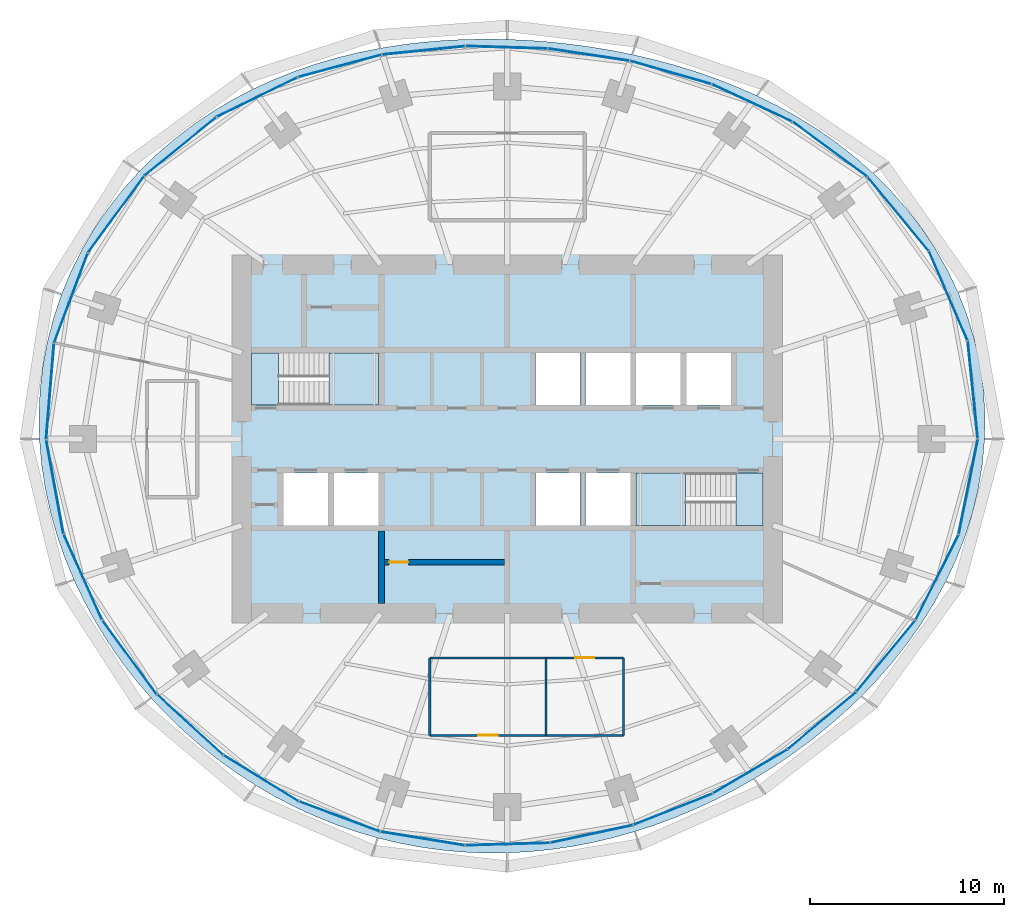
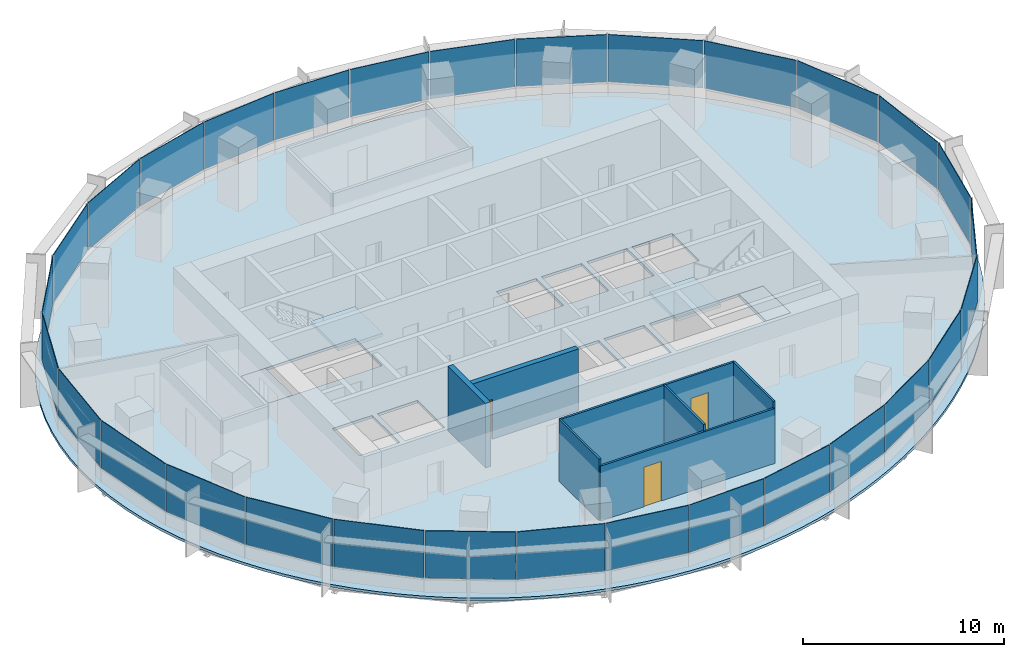
# One storey, part 9 of 14: 30 plates, 7 walls, 5 slabs, 3 doors, 3 openings, 8 elements without a shape of their own.
"""IFC4 building model written with IfcOpenShell, lengths in metres."""

from ifc_helpers import new_model, si_unit, direction, frame, frame_2d, origin, origin_2d, place, context, subcontext, project, spatial, polyline, rectangle, outline, extrude, material, layer, layer_set, type_object, element, fill, aggregate, save


model = new_model("IFC4")

# Units and contexts
model_context = context("Model", 3, precision=1e-05, world=origin(), true_north=direction((0.0, 1.0)))
body_context = subcontext(model_context, "Body", "Model", "MODEL_VIEW")
ifc_project = project(units=[si_unit("LENGTHUNIT", "METRE"), si_unit("AREAUNIT", "SQUARE_METRE"), si_unit("VOLUMEUNIT", "CUBIC_METRE"), si_unit("PLANEANGLEUNIT", "RADIAN"), si_unit("MASSUNIT", "GRAM", prefix="KILO")], contexts=[model_context])

# Site, building, storey
site_placement = place(None, origin())
site = spatial("IfcSite", under=ifc_project, at=site_placement, CompositionType="ELEMENT")
building_placement = place(site_placement, origin())
building = spatial("IfcBuilding", under=site, at=building_placement, Name="Marramba Exchange Tower", CompositionType="ELEMENT")
storey_placement = place(building_placement, frame((0.0, 0.0, 222.800048828125)))
storey = spatial("IfcBuildingStorey", under=building, at=storey_placement, Name="L54", CompositionType="ELEMENT", Elevation=222.800048828125)

# Slab
ifc_material_1 = material(Name="Concrete N40", Category="concrete")
ifc_layer_1 = layer(ifc_material_1, 0.159912109375)
ifc_layer_set_1 = layer_set([ifc_layer_1], Name="Composite floor slab 160")
slab_type_1 = type_object("IfcSlabType", Name="Composite floor slab 160", PredefinedType="FLOOR", material=ifc_layer_set_1)
slab_1_placement = place(storey_placement, frame((0.0, 0.0, -0.16015625)))
element("IfcSlab", 1, at=slab_1_placement, inside=storey, type_object=slab_type_1, Name="Floor slab L54", PredefinedType="FLOOR", context=body_context, shape_type="SweptSolid", body=[
    extrude(outline(polyline([(24.64404296875, 0.0), (24.661376953125, 1.29248046875), (24.580078125, 2.58349609375), (24.399658203125, 3.864501953125), (24.12109375, 5.127197265625), (23.7470703125, 6.363037109375), (23.281494140625, 7.564697265625), (22.72900390625, 8.724853515625), (22.095947265625, 9.837646484375), (21.388427734375, 10.89794921875), (20.614013671875, 11.901611328125), (19.780029296875, 12.845458984375), (18.894287109375, 13.7275390625), (17.964111328125, 14.547119140625), (16.996826171875, 15.303955078125), (15.9990234375, 15.9990234375), (14.977294921875, 16.634033203125), (13.936767578125, 17.21044921875), (12.882568359375, 17.7314453125), (11.819091796875, 18.19970703125), (10.749267578125, 18.6181640625), (9.67578125, 18.989990234375), (8.60107421875, 19.318115234375), (7.52587890625, 19.60546875), (6.451171875, 19.8544921875), (5.377197265625, 20.067626953125), (4.303466796875, 20.246337890625), (3.229736328125, 20.39208984375), (2.1552734375, 20.50537109375), (1.078857421875, 20.5869140625), (0.0, 20.63623046875), (-1.082275390625, 20.652587890625), (-2.168701171875, 20.634765625), (-3.259765625, 20.580810546875), (-4.35498046875, 20.4892578125), (-5.45458984375, 20.35693359375), (-6.557373046875, 20.181884765625), (-7.662353515625, 19.9609375), (-8.76708984375, 19.691162109375), (-9.869384765625, 19.369873046875), (-10.96630859375, 18.994384765625), (-12.05419921875, 18.561767578125), (-13.128662109375, 18.070068359375), (-14.185546875, 17.517578125), (-15.218994140625, 16.902587890625), (-16.22412109375, 16.22412109375), (-17.195068359375, 15.482421875), (-18.12548828125, 14.677734375), (-19.009521484375, 13.811279296875), (-19.841064453125, 12.885009765625), (-20.614013671875, 11.901611328125), (-21.32275390625, 10.864501953125), (-21.9619140625, 9.778076171875), (-22.52685546875, 8.647216796875), (-23.01318359375, 7.477294921875), (-23.417724609375, 6.274658203125), (-23.73779296875, 5.045654296875), (-23.971923828125, 3.796875), (-24.119384765625, 2.53515625), (-24.180419921875, 1.267333984375), (-24.156005859375, 0.0), (-24.04833984375, -1.26025390625), (-23.860107421875, -2.5078125), (-23.594482421875, -3.737060546875), (-23.25537109375, -4.943115234375), (-22.846923828125, -6.121826171875), (-22.373291015625, -7.26953125), (-21.8388671875, -8.38330078125), (-21.247802734375, -9.460205078125), (-20.604248046875, -10.49853515625), (-19.912109375, -11.496337890625), (-19.174560546875, -12.4521484375), (-18.395263671875, -13.364990234375), (-17.5771484375, -14.233642578125), (-16.72265625, -15.05712890625), (-15.834228515625, -15.834228515625), (-14.914794921875, -16.564453125), (-13.966064453125, -17.24658203125), (-12.990234375, -17.879638671875), (-11.98974609375, -18.46240234375), (-10.96630859375, -18.994384765625), (-9.922607421875, -19.47412109375), (-8.860595703125, -19.901123046875), (-7.78271484375, -20.2744140625), (-6.691162109375, -20.593505859375), (-5.5888671875, -20.858154296875), (-4.478271484375, -21.068115234375), (-3.361328125, -21.22314453125), (-2.2412109375, -21.32373046875), (-1.119873046875, -21.370361328125), (0.0, -21.36376953125), (1.116455078125, -21.3046875), (2.2275390625, -21.194580078125), (3.33154296875, -21.0341796875), (4.426513671875, -20.8251953125), (5.511474609375, -20.56884765625), (6.5849609375, -20.266357421875), (7.646240234375, -19.919189453125), (8.694580078125, -19.528076171875), (9.72900390625, -19.09423828125), (10.749267578125, -18.6181640625), (11.75439453125, -18.100341796875), (12.744140625, -17.541015625), (13.71728515625, -16.939697265625), (14.6728515625, -16.2958984375), (15.609130859375, -15.609130859375), (16.5244140625, -14.878662109375), (17.415771484375, -14.10302734375), (18.280029296875, -13.28125), (19.11376953125, -12.41259765625), (19.912109375, -11.496337890625), (20.669921875, -10.531982421875), (21.3818359375, -9.519775390625), (22.041259765625, -8.4609375), (22.641845703125, -7.356689453125), (23.176513671875, -6.210205078125), (23.638671875, -5.024658203125), (24.022216796875, -3.8046875), (24.32080078125, -2.55615234375), (24.529541015625, -1.28564453125), (24.64404296875, 0.0)]), holes=[polyline([(1.449951171875, 1.75), (3.75, 1.75), (3.75, 4.449951171875), (1.449951171875, 4.449951171875), (1.449951171875, 1.75)]), polyline([(4.050048828125, 1.75), (6.35009765625, 1.75), (6.35009765625, 4.449951171875), (4.050048828125, 4.449951171875), (4.050048828125, 1.75)]), polyline([(1.449951171875, -4.449951171875), (3.75, -4.449951171875), (3.75, -1.75), (1.449951171875, -1.75), (1.449951171875, -4.449951171875)]), polyline([(4.050048828125, -4.449951171875), (6.35009765625, -4.449951171875), (6.35009765625, -1.75), (4.050048828125, -1.75), (4.050048828125, -4.449951171875)]), polyline([(6.64990234375, 1.75), (8.949951171875, 1.75), (8.949951171875, 4.449951171875), (6.64990234375, 4.449951171875), (6.64990234375, 1.75)]), polyline([(-8.949951171875, -4.449951171875), (-6.64990234375, -4.449951171875), (-6.64990234375, -1.75), (-8.949951171875, -1.75), (-8.949951171875, -4.449951171875)]), polyline([(-11.550048828125, -4.449951171875), (-9.25, -4.449951171875), (-9.25, -1.75), (-11.550048828125, -1.75), (-11.550048828125, -4.449951171875)]), polyline([(9.25, 1.75), (11.550048828125, 1.75), (11.550048828125, 4.449951171875), (9.25, 4.449951171875), (9.25, 1.75)]), polyline([(-13.199951171875, 1.75), (-6.64990234375, 1.75), (-6.64990234375, 4.449951171875), (-13.199951171875, 4.449951171875), (-13.199951171875, 1.75)]), polyline([(6.64990234375, -4.449951171875), (13.199951171875, -4.449951171875), (13.199951171875, -1.75), (6.64990234375, -1.75), (6.64990234375, -4.449951171875)])]), origin(), (0.0, 0.0, 1.0), 0.16015625),
])

# Curtain wall, plates
ifc_material_2 = material(Name="Aluminium framing, bronze anodised", Category="aluminium")
curtain_wall_type = type_object("IfcCurtainWallType", Name="Office ribbon curtain wall", PredefinedType="USERDEFINED", material=ifc_material_2)
curtain_wall_1_placement = place(storey_placement, origin())
curtain_wall_1 = element("IfcCurtainWall", 2, at=curtain_wall_1_placement, inside=storey, type_object=curtain_wall_type, Name="Curtain wall CW4 L54 F01-F05", ObjectType="RIBBON CURTAIN WALL", PredefinedType="USERDEFINED")
ifc_material_3 = material(Name="Laminated double glazed unit 10.76 + 16 + 10.76, bronze tinted", Category="glass")
ifc_layer_2 = layer(ifc_material_3, 0.03759765625)
ifc_layer_set_2 = layer_set([ifc_layer_2], Name="Office ribbon curtain wall panel")
plate_type = type_object("IfcPlateType", Name="Office ribbon curtain wall panel", PredefinedType="CURTAIN_PANEL", material=ifc_layer_set_2)
plate_1_placement = place(storey_placement, frame((24.033203125, 2.556884765625, 0.860107421875), z_axis=(0.0, 0.0, 1.0), x_axis=(-0.101422472607, 0.994843446001, 0.0)))
plate_1 = element("IfcPlate", 3, at=plate_1_placement, type_object=plate_type, Name="CW4 vision panel", PredefinedType="CURTAIN_PANEL", context=body_context, shape_type="SweptSolid", body=[
    extrude(rectangle(XDim=5.0205078125, YDim=0.03759765625, at=origin_2d()), origin(), (0.0, 0.0, 1.0), 2.8798828125),
])
plate_2_placement = place(storey_placement, frame((22.765625, 7.40234375, 0.860107421875), z_axis=(0.0, 0.0, 1.0), x_axis=(-0.396193346946, 0.918167104527, 0.0)))
plate_2 = element("IfcPlate", 4, at=plate_2_placement, type_object=plate_type, Name="CW4 vision panel", PredefinedType="CURTAIN_PANEL", context=body_context, shape_type="SweptSolid", body=[
    extrude(rectangle(XDim=4.99462890625, YDim=0.03759765625, at=origin_2d()), origin(), (0.0, 0.0, 1.0), 2.8798828125),
])
plate_3_placement = place(storey_placement, frame((20.174560546875, 11.631591796875, 0.860107421875), z_axis=(0.0, 0.0, 1.0), x_axis=(-0.637350227411, 0.770574258342, 0.0)))
plate_3 = element("IfcPlate", 5, at=plate_3_placement, type_object=plate_type, Name="CW4 vision panel", PredefinedType="CURTAIN_PANEL", context=body_context, shape_type="SweptSolid", body=[
    extrude(rectangle(XDim=4.90576171875, YDim=0.03759765625, at=origin_2d()), origin(), (0.0, 0.0, 1.0), 2.8798828125),
])
plate_4_placement = place(storey_placement, frame((16.653076171875, 14.965576171875, 0.860107421875), z_axis=(0.0, 0.0, 1.0), x_axis=(-0.804877259395, 0.593441317494, 0.0)))
plate_4 = element("IfcPlate", 6, at=plate_4_placement, type_object=plate_type, Name="CW4 vision panel", PredefinedType="CURTAIN_PANEL", context=body_context, shape_type="SweptSolid", body=[
    extrude(rectangle(XDim=4.745849609375, YDim=0.03759765625, at=origin_2d()), origin(), (0.0, 0.0, 1.0), 2.8798828125),
])
plate_5_placement = place(storey_placement, frame((12.63134765625, 17.357177734375, 0.860107421875), z_axis=(0.0, 0.0, 1.0), x_axis=(-0.906533907301, 0.422133006189, 0.0)))
plate_5 = element("IfcPlate", 7, at=plate_5_placement, type_object=plate_type, Name="CW4 vision panel", PredefinedType="CURTAIN_PANEL", context=body_context, shape_type="SweptSolid", body=[
    extrude(rectangle(XDim=4.53857421875, YDim=0.03759765625, at=origin_2d()), origin(), (0.0, 0.0, 1.0), 2.8798828125),
])
aggregate(curtain_wall_1, [plate_1, plate_2, plate_3, plate_4, plate_5])

curtain_wall_2_placement = place(storey_placement, origin())
curtain_wall_2 = element("IfcCurtainWall", 8, at=curtain_wall_2_placement, inside=storey, type_object=curtain_wall_type, Name="Curtain wall CW4 L54 F06-F10", ObjectType="RIBBON CURTAIN WALL", PredefinedType="USERDEFINED")
plate_6_placement = place(storey_placement, frame((8.4296875, 18.926513671875, 0.860107421875), z_axis=(0.0, 0.0, 1.0), x_axis=(-0.961658954195, 0.274248164656, 0.0)))
plate_6 = element("IfcPlate", 9, at=plate_6_placement, type_object=plate_type, Name="CW4 vision panel", PredefinedType="CURTAIN_PANEL", context=body_context, shape_type="SweptSolid", body=[
    extrude(rectangle(XDim=4.33984375, YDim=0.03759765625, at=origin_2d()), origin(), (0.0, 0.0, 1.0), 2.8798828125),
])
plate_7_placement = place(storey_placement, frame((4.201171875, 19.843994140625, 0.860107421875), z_axis=(0.0, 0.0, 1.0), x_axis=(-0.988868065698, 0.148794988635, 0.0)))
plate_7 = element("IfcPlate", 10, at=plate_7_placement, type_object=plate_type, Name="CW4 vision panel", PredefinedType="CURTAIN_PANEL", context=body_context, shape_type="SweptSolid", body=[
    extrude(rectangle(XDim=4.2119140625, YDim=0.03759765625, at=origin_2d()), origin(), (0.0, 0.0, 1.0), 2.8798828125),
])
plate_8_placement = place(storey_placement, frame((-0.036865234375, 20.222900390625, 0.860107421875), z_axis=(0.0, 0.0, 1.0), x_axis=(-0.999538000143, 0.03039385249, 0.0)))
plate_8 = element("IfcPlate", 11, at=plate_8_placement, type_object=plate_type, Name="CW4 vision panel", PredefinedType="CURTAIN_PANEL", context=body_context, shape_type="SweptSolid", body=[
    extrude(rectangle(XDim=4.19287109375, YDim=0.03759765625, at=origin_2d()), origin(), (0.0, 0.0, 1.0), 2.8798828125),
])
plate_9_placement = place(storey_placement, frame((-4.320556640625, 20.064697265625, 0.860107421875), z_axis=(0.0, 0.0, 1.0), x_axis=(-0.994900357369, -0.100862673507, 0.0)))
plate_9 = element("IfcPlate", 12, at=plate_9_placement, type_object=plate_type, Name="CW4 vision panel", PredefinedType="CURTAIN_PANEL", context=body_context, shape_type="SweptSolid", body=[
    extrude(rectangle(XDim=4.279296875, YDim=0.03759765625, at=origin_2d()), origin(), (0.0, 0.0, 1.0), 2.8798828125),
])
plate_10_placement = place(storey_placement, frame((-8.6494140625, 19.262451171875, 0.860107421875), z_axis=(0.0, 0.0, 1.0), x_axis=(-0.966240653155, -0.257641223778, 0.0)))
plate_10 = element("IfcPlate", 13, at=plate_10_placement, type_object=plate_type, Name="CW4 vision panel", PredefinedType="CURTAIN_PANEL", context=body_context, shape_type="SweptSolid", body=[
    extrude(rectangle(XDim=4.433837890625, YDim=0.03759765625, at=origin_2d()), origin(), (0.0, 0.0, 1.0), 2.8798828125),
])
aggregate(curtain_wall_2, [plate_6, plate_7, plate_8, plate_9, plate_10])

curtain_wall_3_placement = place(storey_placement, origin())
curtain_wall_3 = element("IfcCurtainWall", 14, at=curtain_wall_3_placement, inside=storey, type_object=curtain_wall_type, Name="Curtain wall CW4 L54 F11-F15", ObjectType="RIBBON CURTAIN WALL", PredefinedType="USERDEFINED")
plate_11_placement = place(storey_placement, frame((-12.9150390625, 17.653564453125, 0.860107421875), z_axis=(0.0, 0.0, 1.0), x_axis=(-0.898500518805, -0.438972456661, 0.0)))
plate_11 = element("IfcPlate", 15, at=plate_11_placement, type_object=plate_type, Name="CW4 vision panel", PredefinedType="CURTAIN_PANEL", context=body_context, shape_type="SweptSolid", body=[
    extrude(rectangle(XDim=4.607177734375, YDim=0.03759765625, at=origin_2d()), origin(), (0.0, 0.0, 1.0), 2.8798828125),
])
plate_12_placement = place(storey_placement, frame((-16.87890625, 15.10498046875, 0.860107421875), z_axis=(0.0, 0.0, 1.0), x_axis=(-0.776432169145, -0.630200830464, 0.0)))
plate_12 = element("IfcPlate", 16, at=plate_12_placement, type_object=plate_type, Name="CW4 vision panel", PredefinedType="CURTAIN_PANEL", context=body_context, shape_type="SweptSolid", body=[
    extrude(rectangle(XDim=4.7587890625, YDim=0.03759765625, at=origin_2d()), origin(), (0.0, 0.0, 1.0), 2.8798828125),
])
plate_13_placement = place(storey_placement, frame((-20.2021484375, 11.596435546875, 0.860107421875), z_axis=(0.0, 0.0, 1.0), x_axis=(-0.591962922138, -0.805965197024, 0.0)))
plate_13 = element("IfcPlate", 17, at=plate_13_placement, type_object=plate_type, Name="CW4 vision panel", PredefinedType="CURTAIN_PANEL", context=body_context, shape_type="SweptSolid", body=[
    extrude(rectangle(XDim=4.865478515625, YDim=0.03759765625, at=origin_2d()), origin(), (0.0, 0.0, 1.0), 2.8798828125),
])
plate_14_placement = place(storey_placement, frame((-22.529296875, 7.276123046875, 0.860107421875), z_axis=(0.0, 0.0, 1.0), x_axis=(-0.351951515885, -0.936018231909, 0.0)))
plate_14 = element("IfcPlate", 18, at=plate_14_placement, type_object=plate_type, Name="CW4 vision panel", PredefinedType="CURTAIN_PANEL", context=body_context, shape_type="SweptSolid", body=[
    extrude(rectangle(XDim=4.921630859375, YDim=0.03759765625, at=origin_2d()), origin(), (0.0, 0.0, 1.0), 2.8798828125),
])
plate_15_placement = place(storey_placement, frame((-23.603271484375, 2.45654296875, 0.860107421875), z_axis=(0.0, 0.0, 1.0), x_axis=(-0.082280890264, -0.996609178714, 0.0)))
plate_15 = element("IfcPlate", 19, at=plate_15_placement, type_object=plate_type, Name="CW4 vision panel", PredefinedType="CURTAIN_PANEL", context=body_context, shape_type="SweptSolid", body=[
    extrude(rectangle(XDim=4.9296875, YDim=0.03759765625, at=origin_2d()), origin(), (0.0, 0.0, 1.0), 2.8798828125),
])
aggregate(curtain_wall_3, [plate_11, plate_12, plate_13, plate_14, plate_15])

curtain_wall_4_placement = place(storey_placement, origin())
curtain_wall_4 = element("IfcCurtainWall", 20, at=curtain_wall_4_placement, inside=storey, type_object=curtain_wall_type, Name="Curtain wall CW4 L54 F16-F20", ObjectType="RIBBON CURTAIN WALL", PredefinedType="USERDEFINED")
plate_16_placement = place(storey_placement, frame((-23.354248046875, -2.464599609375, 0.860107421875), z_axis=(0.0, 0.0, 1.0), x_axis=(0.180327438996, -0.983606636184, 0.0)))
plate_16 = element("IfcPlate", 21, at=plate_16_placement, type_object=plate_type, Name="CW4 vision panel", PredefinedType="CURTAIN_PANEL", context=body_context, shape_type="SweptSolid", body=[
    extrude(rectangle(XDim=4.8916015625, YDim=0.03759765625, at=origin_2d()), origin(), (0.0, 0.0, 1.0), 2.8798828125),
])
plate_17_placement = place(storey_placement, frame((-21.908447265625, -7.12158203125, 0.860107421875), z_axis=(0.0, 0.0, 1.0), x_axis=(0.407557580942, -0.913179510401, 0.0)))
plate_17 = element("IfcPlate", 22, at=plate_17_placement, type_object=plate_type, Name="CW4 vision panel", PredefinedType="CURTAIN_PANEL", context=body_context, shape_type="SweptSolid", body=[
    extrude(rectangle(XDim=4.810302734375, YDim=0.03759765625, at=origin_2d()), origin(), (0.0, 0.0, 1.0), 2.8798828125),
])
plate_18_placement = place(storey_placement, frame((-19.50244140625, -11.2626953125, 0.860107421875), z_axis=(0.0, 0.0, 1.0), x_axis=(0.591223103363, -0.806508054547, 0.0)))
plate_18 = element("IfcPlate", 23, at=plate_18_placement, type_object=plate_type, Name="CW4 vision panel", PredefinedType="CURTAIN_PANEL", context=body_context, shape_type="SweptSolid", body=[
    extrude(rectangle(XDim=4.703125, YDim=0.03759765625, at=origin_2d()), origin(), (0.0, 0.0, 1.0), 2.8798828125),
])
plate_19_placement = place(storey_placement, frame((-16.374267578125, -14.752197265625, 0.860107421875), z_axis=(0.0, 0.0, 1.0), x_axis=(0.737203264245, -0.67567103474, 0.0)))
plate_19 = element("IfcPlate", 24, at=plate_19_placement, type_object=plate_type, Name="CW4 vision panel", PredefinedType="CURTAIN_PANEL", context=body_context, shape_type="SweptSolid", body=[
    extrude(rectangle(XDim=4.594970703125, YDim=0.03759765625, at=origin_2d()), origin(), (0.0, 0.0, 1.0), 2.8798828125),
])
plate_20_placement = place(storey_placement, frame((-12.71044921875, -17.513427734375, 0.860107421875), z_axis=(0.0, 0.0, 1.0), x_axis=(0.85230101176, -0.52305160869, 0.0)))
plate_20 = element("IfcPlate", 25, at=plate_20_placement, type_object=plate_type, Name="CW4 vision panel", PredefinedType="CURTAIN_PANEL", context=body_context, shape_type="SweptSolid", body=[
    extrude(rectangle(XDim=4.503173828125, YDim=0.03759765625, at=origin_2d()), origin(), (0.0, 0.0, 1.0), 2.8798828125),
])
aggregate(curtain_wall_4, [plate_16, plate_17, plate_18, plate_19, plate_20])

curtain_wall_5_placement = place(storey_placement, origin())
curtain_wall_5 = element("IfcCurtainWall", 26, at=curtain_wall_5_placement, inside=storey, type_object=curtain_wall_type, Name="Curtain wall CW4 L54 F21-F25", ObjectType="RIBBON CURTAIN WALL", PredefinedType="USERDEFINED")
plate_21_placement = place(storey_placement, frame((-8.6591796875, -19.486572265625, 0.860107421875), z_axis=(0.0, 0.0, 1.0), x_axis=(0.936951583142, -0.349459197687, 0.0)))
plate_21 = element("IfcPlate", 27, at=plate_21_placement, type_object=plate_type, Name="CW4 vision panel", PredefinedType="CURTAIN_PANEL", context=body_context, shape_type="SweptSolid", body=[
    extrude(rectangle(XDim=4.431396484375, YDim=0.03759765625, at=origin_2d()), origin(), (0.0, 0.0, 1.0), 2.8798828125),
])
plate_22_placement = place(storey_placement, frame((-4.3642578125, -20.623046875, 0.860107421875), z_axis=(0.0, 0.0, 1.0), x_axis=(0.986930623159, -0.161145726194, 0.0)))
plate_22 = element("IfcPlate", 28, at=plate_22_placement, type_object=plate_type, Name="CW4 vision panel", PredefinedType="CURTAIN_PANEL", context=body_context, shape_type="SweptSolid", body=[
    extrude(rectangle(XDim=4.37646484375, YDim=0.03759765625, at=origin_2d()), origin(), (0.0, 0.0, 1.0), 2.8798828125),
])
plate_23_placement = place(storey_placement, frame((0.023193359375, -20.91015625, 0.860107421875), z_axis=(0.0, 0.0, 1.0), x_axis=(0.99956791915, 0.029393451762, 0.0)))
plate_23 = element("IfcPlate", 29, at=plate_23_placement, type_object=plate_type, Name="CW4 vision panel", PredefinedType="CURTAIN_PANEL", context=body_context, shape_type="SweptSolid", body=[
    extrude(rectangle(XDim=4.337646484375, YDim=0.03759765625, at=origin_2d()), origin(), (0.0, 0.0, 1.0), 2.8798828125),
])
plate_24_placement = place(storey_placement, frame((4.36328125, -20.3837890625, 0.860107421875), z_axis=(0.0, 0.0, 1.0), x_axis=(0.978058069607, 0.208332456608, 0.0)))
plate_24 = element("IfcPlate", 30, at=plate_24_placement, type_object=plate_type, Name="CW4 vision panel", PredefinedType="CURTAIN_PANEL", context=body_context, shape_type="SweptSolid", body=[
    extrude(rectangle(XDim=4.32177734375, YDim=0.03759765625, at=origin_2d()), origin(), (0.0, 0.0, 1.0), 2.8798828125),
])
plate_25_placement = place(storey_placement, frame((8.553466796875, -19.11328125, 0.860107421875), z_axis=(0.0, 0.0, 1.0), x_axis=(0.93007301435, 0.367374724195, 0.0)))
plate_25 = element("IfcPlate", 31, at=plate_25_placement, type_object=plate_type, Name="CW4 vision panel", PredefinedType="CURTAIN_PANEL", context=body_context, shape_type="SweptSolid", body=[
    extrude(rectangle(XDim=4.345458984375, YDim=0.03759765625, at=origin_2d()), origin(), (0.0, 0.0, 1.0), 2.8798828125),
])
aggregate(curtain_wall_5, [plate_21, plate_22, plate_23, plate_24, plate_25])

curtain_wall_6_placement = place(storey_placement, origin())
curtain_wall_6 = element("IfcCurtainWall", 32, at=curtain_wall_6_placement, inside=storey, type_object=curtain_wall_type, Name="Curtain wall CW4 L54 F26-F30", ObjectType="RIBBON CURTAIN WALL", PredefinedType="USERDEFINED")
plate_26_placement = place(storey_placement, frame((12.5322265625, -17.16015625, 0.860107421875), z_axis=(0.0, 0.0, 1.0), x_axis=(0.861350833897, 0.508010571686, 0.0)))
plate_26 = element("IfcPlate", 33, at=plate_26_placement, type_object=plate_type, Name="CW4 vision panel", PredefinedType="CURTAIN_PANEL", context=body_context, shape_type="SweptSolid", body=[
    extrude(rectangle(XDim=4.426513671875, YDim=0.03759765625, at=origin_2d()), origin(), (0.0, 0.0, 1.0), 2.8798828125),
])
plate_27_placement = place(storey_placement, frame((16.240966796875, -14.536376953125, 0.860107421875), z_axis=(0.0, 0.0, 1.0), x_axis=(0.768736798421, 0.639565270127, 0.0)))
plate_27 = element("IfcPlate", 34, at=plate_27_placement, type_object=plate_type, Name="CW4 vision panel", PredefinedType="CURTAIN_PANEL", context=body_context, shape_type="SweptSolid", body=[
    extrude(rectangle(XDim=4.568603515625, YDim=0.03759765625, at=origin_2d()), origin(), (0.0, 0.0, 1.0), 2.8798828125),
])
plate_28_placement = place(storey_placement, frame((19.548583984375, -11.203369140625, 0.860107421875), z_axis=(0.0, 0.0, 1.0), x_axis=(0.63814998673, 0.769912069289, 0.0)))
plate_28 = element("IfcPlate", 35, at=plate_28_placement, type_object=plate_type, Name="CW4 vision panel", PredefinedType="CURTAIN_PANEL", context=body_context, shape_type="SweptSolid", body=[
    extrude(rectangle(XDim=4.7431640625, YDim=0.03759765625, at=origin_2d()), origin(), (0.0, 0.0, 1.0), 2.8798828125),
])
plate_29_placement = place(storey_placement, frame((22.19287109375, -7.137939453125, 0.860107421875), z_axis=(0.0, 0.0, 1.0), x_axis=(0.450673083956, 0.892689067591, 0.0)))
plate_29 = element("IfcPlate", 36, at=plate_29_placement, type_object=plate_type, Name="CW4 vision panel", PredefinedType="CURTAIN_PANEL", context=body_context, shape_type="SweptSolid", body=[
    extrude(rectangle(XDim=4.897705078125, YDim=0.03759765625, at=origin_2d()), origin(), (0.0, 0.0, 1.0), 2.8798828125),
])
plate_30_placement = place(storey_placement, frame((23.801025390625, -2.446533203125, 0.860107421875), z_axis=(0.0, 0.0, 1.0), x_axis=(0.197495405316, 0.980303812539, 0.0)))
plate_30 = element("IfcPlate", 37, at=plate_30_placement, type_object=plate_type, Name="CW4 vision panel", PredefinedType="CURTAIN_PANEL", context=body_context, shape_type="SweptSolid", body=[
    extrude(rectangle(XDim=4.9912109375, YDim=0.03759765625, at=origin_2d()), origin(), (0.0, 0.0, 1.0), 2.8798828125),
])
aggregate(curtain_wall_6, [plate_26, plate_27, plate_28, plate_29, plate_30])

# Stair, slabs
ifc_material_4 = material(Name="Concrete N40 (40 MPa)", Category="concrete")
stair_type_1 = type_object("IfcStairType", Name="Exit stair ST1 3900 x 1250", PredefinedType="HALF_TURN_STAIR", material=ifc_material_4)
stair_1_placement = place(storey_placement, origin())
stair_1 = element("IfcStair", 38, at=stair_1_placement, inside=storey, type_object=stair_type_1, Name="Exit stair ST1 L54", PredefinedType="HALF_TURN_STAIR")
ifc_layer_3 = layer(ifc_material_4, 0.199951171875)
ifc_layer_set_3 = layer_set([ifc_layer_3], Name="Stair landing 200")
slab_type_2 = type_object("IfcSlabType", Name="Stair landing 200", PredefinedType="LANDING", material=ifc_layer_set_3)
slab_2_placement = place(storey_placement, frame((0.0, 0.0, -0.199951171875)))
slab_2 = element("IfcSlab", 39, at=slab_2_placement, type_object=slab_type_2, Name="ST1 landing 1", PredefinedType="LANDING", context=body_context, shape_type="SweptSolid", body=[
    extrude(outline(polyline([(-13.199951171875, 1.75), (-11.800048828125, 1.75), (-11.800048828125, 4.449951171875), (-13.199951171875, 4.449951171875), (-13.199951171875, 1.75)])), origin(), (0.0, 0.0, 1.0), 0.199951171875),
])
slab_3_placement = place(storey_placement, frame((0.0, 0.0, 1.75)))
slab_3 = element("IfcSlab", 40, at=slab_3_placement, type_object=slab_type_2, Name="ST1 landing 2", PredefinedType="LANDING", context=body_context, shape_type="SweptSolid", body=[
    extrude(outline(polyline([(-9.199951171875, 1.75), (-6.64990234375, 1.75), (-6.64990234375, 4.449951171875), (-9.199951171875, 4.449951171875), (-9.199951171875, 1.75)])), origin(), (0.0, 0.0, 1.0), 0.199951171875),
])
aggregate(stair_1, [slab_2, slab_3])

stair_type_2 = type_object("IfcStairType", Name="Exit stair ST2 3900 x 1250", PredefinedType="HALF_TURN_STAIR", material=ifc_material_4)
stair_2_placement = place(storey_placement, origin())
stair_2 = element("IfcStair", 41, at=stair_2_placement, inside=storey, type_object=stair_type_2, Name="Exit stair ST2 L54", PredefinedType="HALF_TURN_STAIR")
slab_4_placement = place(storey_placement, frame((0.0, 0.0, -0.199951171875)))
slab_4 = element("IfcSlab", 42, at=slab_4_placement, type_object=slab_type_2, Name="ST2 landing 1", PredefinedType="LANDING", context=body_context, shape_type="SweptSolid", body=[
    extrude(outline(polyline([(11.800048828125, -4.449951171875), (13.199951171875, -4.449951171875), (13.199951171875, -1.75), (11.800048828125, -1.75), (11.800048828125, -4.449951171875)])), origin(), (0.0, 0.0, 1.0), 0.199951171875),
])
slab_5_placement = place(storey_placement, frame((0.0, 0.0, 1.75)))
slab_5 = element("IfcSlab", 43, at=slab_5_placement, type_object=slab_type_2, Name="ST2 landing 2", PredefinedType="LANDING", context=body_context, shape_type="SweptSolid", body=[
    extrude(outline(polyline([(6.64990234375, -4.449951171875), (9.199951171875, -4.449951171875), (9.199951171875, -1.75), (6.64990234375, -1.75), (6.64990234375, -4.449951171875)])), origin(), (0.0, 0.0, 1.0), 0.199951171875),
])
aggregate(stair_2, [slab_4, slab_5])

# Walls
ifc_material_5 = material(Name="Concrete N50", Category="concrete")
ifc_layer_4 = layer(ifc_material_5, 0.300048828125)
ifc_layer_set_4 = layer_set([ifc_layer_4], Name="Core wall 300")
wall_type_1 = type_object("IfcWallType", Name="Core wall 300", PredefinedType="SHEAR", material=ifc_layer_set_4)
wall_1_placement = place(storey_placement, frame((-6.5, -4.75, 0.0), z_axis=(0.0, 0.0, 1.0), x_axis=(0.0, -1.0, 0.0)))
element("IfcWall", 44, at=wall_1_placement, inside=storey, type_object=wall_type_1, Name="Core wall X0Sb L54", PredefinedType="SHEAR", context=body_context, shape_type="SweptSolid", body=[
    extrude(rectangle(XDim=3.75, YDim=0.300048828125, at=frame_2d((1.875, 0.0))), origin(), (0.0, 0.0, 1.0), 3.89990234375),
])
ifc_material_6 = material(Name="Plasterboard on steel studs", Category="steel")
ifc_layer_5 = layer(ifc_material_6, 0.1201171875)
ifc_layer_set_5 = layer_set([ifc_layer_5], Name="Partition 120")
wall_type_2 = type_object("IfcWallType", Name="Partition 120", PredefinedType="PARTITIONING", material=ifc_layer_set_5)
wall_2_placement = place(storey_placement, frame((-4.0, -15.300048828125, 0.0), z_axis=(0.0, 0.0, 1.0), x_axis=(0.0, 1.0, 0.0)))
element("IfcWall", 45, at=wall_2_placement, inside=storey, type_object=wall_type_2, Name="Partition L54 02", PredefinedType="PARTITIONING", context=body_context, shape_type="SweptSolid", body=[
    extrude(rectangle(XDim=4.0, YDim=0.1201171875, at=frame_2d((2.0, 0.0))), origin(), (0.0, 0.0, 1.0), 3.739990234375),
])

# Wall, opening, door
wall_3_placement = place(storey_placement, frame((6.0, -15.300048828125, 0.0), z_axis=(0.0, 0.0, 1.0), x_axis=(-1.0, 0.0, 0.0)))
wall_3 = element("IfcWall", 46, at=wall_3_placement, inside=storey, type_object=wall_type_2, Name="Partition L54 03", PredefinedType="PARTITIONING", context=body_context, shape_type="SweptSolid", body=[
    extrude(rectangle(XDim=10.0, YDim=0.1201171875, at=frame_2d((5.0, 0.0))), origin(), (0.0, 0.0, 1.0), 3.333984375),
])
opening_1_placement = place(wall_3_placement, frame((6.5, 0.0, 0.0)))
opening_1 = element("IfcOpeningElement", 47, at=opening_1_placement, cuts=wall_3, Name="Opening D9", PredefinedType="OPENING", context=body_context, shape_type="SweptSolid", body=[
    extrude(rectangle(XDim=1.0, YDim=2.39990234375, at=frame_2d((0.5, 1.199951171875))), frame((0.0, 0.070068359375, 0.0), z_axis=(0.0, -1.0, 0.0), x_axis=(1.0, 0.0, 0.0)), (0.0, 0.0, 1.0), 0.14013671875),
])
ifc_material_7 = material(Name="Timber door", Category="wood")
door_type = type_object("IfcDoorType", Name="Room door 1000x2400", OperationType="SINGLE_SWING_LEFT", PredefinedType="DOOR", material=ifc_material_7)
door_1_placement = place(opening_1_placement, frame((1.0, 0.0, 0.0), z_axis=(0.0, 0.0, 1.0), x_axis=(-1.0, 0.0, 0.0)))
door_1 = element("IfcDoor", 48, at=door_1_placement, inside=storey, type_object=door_type, Name="D9 Pantry L54", OperationType="SINGLE_SWING_RIGHT", OverallHeight=2.39990234375, OverallWidth=1.0, PredefinedType="DOOR", context=body_context, shape_type="SweptSolid", body=[
    extrude(rectangle(XDim=1.0, YDim=2.39990234375, at=frame_2d((0.5, 1.199951171875))), frame((0.0, 0.025146484375, 0.0), z_axis=(0.0, -1.0, 0.0), x_axis=(1.0, 0.0, 0.0)), (0.0, 0.0, 1.0), 0.050048828125),
])
fill(opening_1, door_1)

wall_4_placement = place(storey_placement, frame((-4.0, -11.300048828125, 0.0), z_axis=(0.0, 0.0, 1.0), x_axis=(1.0, 0.0, 0.0)))
wall_4 = element("IfcWall", 49, at=wall_4_placement, inside=storey, type_object=wall_type_2, Name="Partition L54 04", PredefinedType="PARTITIONING", context=body_context, shape_type="SweptSolid", body=[
    extrude(rectangle(XDim=10.0, YDim=0.1201171875, at=frame_2d((5.0, 0.0))), origin(), (0.0, 0.0, 1.0), 3.739990234375),
])
opening_2_placement = place(wall_4_placement, frame((7.5, 0.0, 0.0)))
opening_2 = element("IfcOpeningElement", 50, at=opening_2_placement, cuts=wall_4, Name="Opening D9", PredefinedType="OPENING", context=body_context, shape_type="SweptSolid", body=[
    extrude(rectangle(XDim=1.0, YDim=2.39990234375, at=frame_2d((0.5, 1.199951171875))), frame((0.0, 0.070068359375, 0.0), z_axis=(0.0, -1.0, 0.0), x_axis=(1.0, 0.0, 0.0)), (0.0, 0.0, 1.0), 0.14013671875),
])
door_2_placement = place(opening_2_placement, frame((1.0, 0.0, 0.0), z_axis=(0.0, 0.0, 1.0), x_axis=(-1.0, 0.0, 0.0)))
door_2 = element("IfcDoor", 51, at=door_2_placement, inside=storey, type_object=door_type, Name="D9 Print Room L54", OperationType="SINGLE_SWING_RIGHT", OverallHeight=2.39990234375, OverallWidth=1.0, PredefinedType="DOOR", context=body_context, shape_type="SweptSolid", body=[
    extrude(rectangle(XDim=1.0, YDim=2.39990234375, at=frame_2d((0.5, 1.199951171875))), frame((0.0, 0.025146484375, 0.0), z_axis=(0.0, -1.0, 0.0), x_axis=(1.0, 0.0, 0.0)), (0.0, 0.0, 1.0), 0.050048828125),
])
fill(opening_2, door_2)

# Walls
for number, where, z_axis, x_axis, name in (
    (52, (2.0, -11.300048828125, 0.0), (0.0, 0.0, 1.0), (0.0, -1.0, 0.0), "Partition L54 05"),
    (53, (6.0, -11.300048828125, 0.0), (0.0, 0.0, 1.0), (0.0, -1.0, 0.0), "Partition L54 06"),
):
    element("IfcWall", number, at=place(storey_placement, frame(where, z_axis=z_axis, x_axis=x_axis)), inside=storey, type_object=wall_type_2, Name=name, PredefinedType="PARTITIONING", context=body_context, shape_type="SweptSolid", body=[
        extrude(rectangle(XDim=4.0, YDim=0.1201171875, at=frame_2d((2.0, 0.0))), origin(), (0.0, 0.0, 1.0), 3.739990234375),
    ])

# Wall, opening, door
ifc_material_8 = material(Name="Plasterboard on steel studs, insulated, unrated", Category="steel")
ifc_layer_6 = layer(ifc_material_8, 0.300048828125)
ifc_layer_set_6 = layer_set([ifc_layer_6], Name="Store partition 300")
wall_type_3 = type_object("IfcWallType", Name="Store partition 300", PredefinedType="PARTITIONING", material=ifc_layer_set_6)
wall_5_placement = place(storey_placement, frame((-6.35009765625, -6.360107421875, 0.0), z_axis=(0.0, 0.0, 1.0), x_axis=(1.0, 0.0, 0.0)))
wall_5 = element("IfcWall", 54, at=wall_5_placement, inside=storey, type_object=wall_type_3, Name="Store partition L54 store", PredefinedType="PARTITIONING", context=body_context, shape_type="SweptSolid", body=[
    extrude(rectangle(XDim=6.2001953125, YDim=0.300048828125, at=frame_2d((3.10009765625, 0.0))), origin(), (0.0, 0.0, 1.0), 3.739990234375),
])
opening_3_placement = place(wall_5_placement, frame((0.25, 0.0, 0.0)))
opening_3 = element("IfcOpeningElement", 55, at=opening_3_placement, cuts=wall_5, Name="Opening D9", PredefinedType="OPENING", context=body_context, shape_type="SweptSolid", body=[
    extrude(rectangle(XDim=1.0, YDim=2.39990234375, at=frame_2d((0.5, 1.199951171875))), frame((0.0, 0.159912109375, 0.0), z_axis=(0.0, -1.0, 0.0), x_axis=(1.0, 0.0, 0.0)), (0.0, 0.0, 1.0), 0.320068359375),
])
door_3_placement = place(opening_3_placement, origin())
door_3 = element("IfcDoor", 56, at=door_3_placement, inside=storey, type_object=door_type, Name="D9 stationery store L54", OperationType="SINGLE_SWING_LEFT", OverallHeight=2.39990234375, OverallWidth=1.0, PredefinedType="DOOR", context=body_context, shape_type="SweptSolid", body=[
    extrude(rectangle(XDim=1.0, YDim=2.39990234375, at=frame_2d((0.5, 1.199951171875))), frame((0.0, 0.02490234375, 0.0), z_axis=(0.0, -1.0, 0.0), x_axis=(1.0, 0.0, 0.0)), (0.0, 0.0, 1.0), 0.050048828125),
])
fill(opening_3, door_3)

save(model, "model.ifc")
